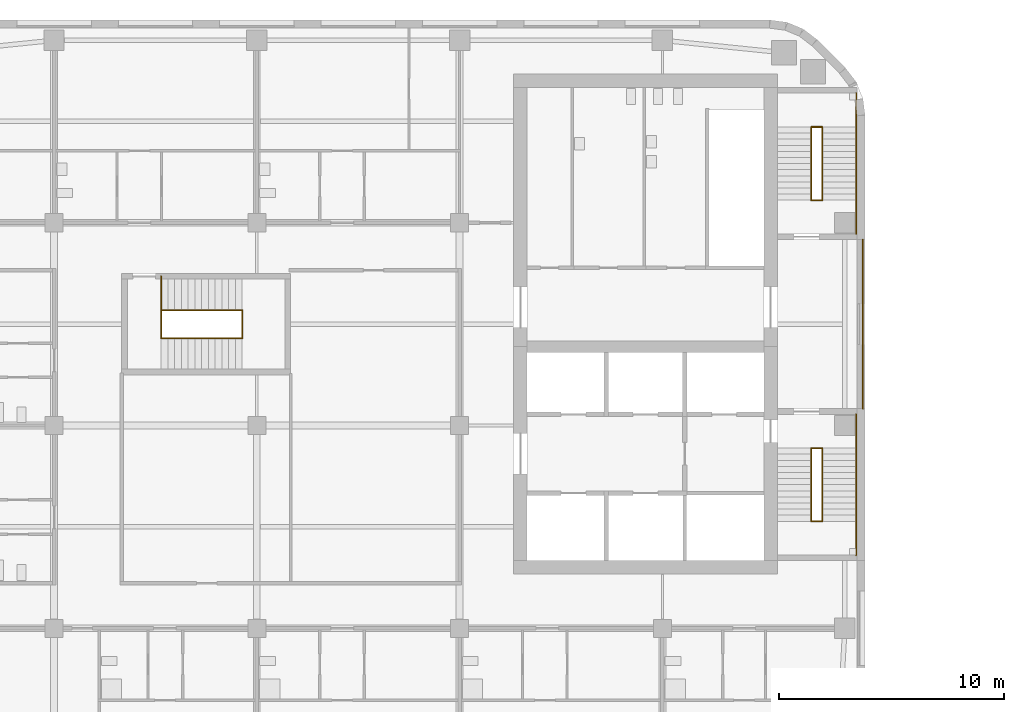
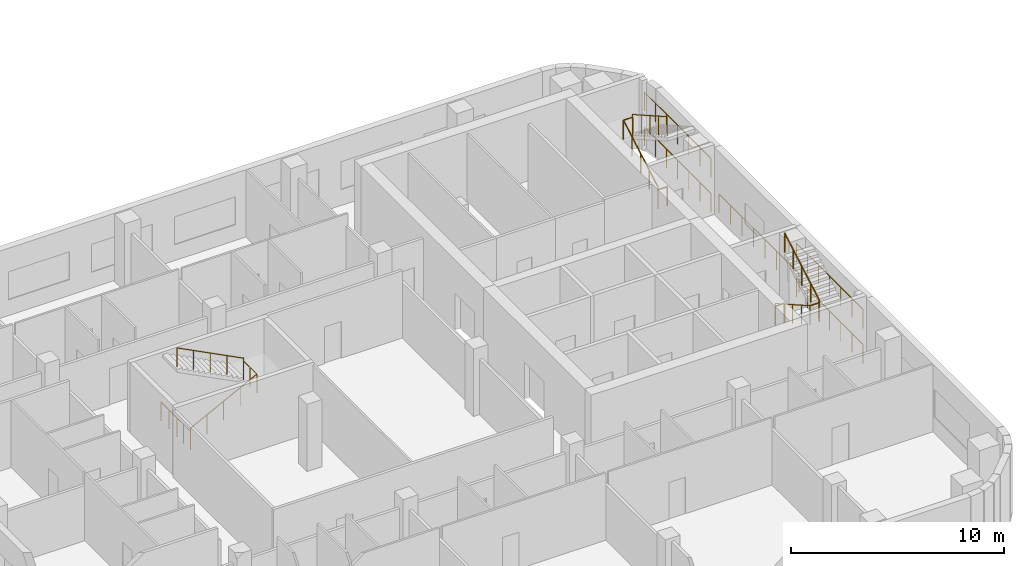
# One storey, part 14 of 16: 18 railings.
"""IFC4 building model written with IfcOpenShell, lengths in metres."""

from ifc_helpers import new_model, si_unit, direction, frame, origin, origin_2d, place, context, subcontext, project, spatial, circle, extrude, material, type_object, element, save


model = new_model("IFC4")

# Units and contexts
model_context = context("Model", 3, precision=1e-05, world=origin(), true_north=direction((0.0, 1.0)))
body_context = subcontext(model_context, "Body", "Model", "MODEL_VIEW")
ifc_project = project(units=[si_unit("LENGTHUNIT", "METRE"), si_unit("AREAUNIT", "SQUARE_METRE"), si_unit("VOLUMEUNIT", "CUBIC_METRE"), si_unit("PLANEANGLEUNIT", "RADIAN"), si_unit("MASSUNIT", "GRAM", prefix="KILO")], contexts=[model_context])

# Site, building, storey
site_placement = place(None, origin())
site = spatial("IfcSite", under=ifc_project, at=site_placement, CompositionType="ELEMENT")
building_placement = place(site_placement, origin())
building = spatial("IfcBuilding", under=site, at=building_placement, Name="Cinnabar Reach Civic Tower", CompositionType="ELEMENT")
storey_placement = place(building_placement, frame((0.0, 0.0, 30.0)))
storey = spatial("IfcBuildingStorey", under=building, at=storey_placement, Name="L06", CompositionType="ELEMENT", Elevation=30.0)

# Railings
ifc_material = material(Name="Stainless steel", Category="steel")
railing_type = type_object("IfcRailingType", Name="T2 Stair guard 1100", PredefinedType="GUARDRAIL", material=ifc_material)
railing_1_placement = place(storey_placement, frame((-27.1, 27.75, 0.0)))
element("IfcRailing", 1, at=railing_1_placement, inside=storey, type_object=railing_type, Name="Corridor end guard", PredefinedType="GUARDRAIL", context=body_context, shape_type="SweptSolid", body=[
    extrude(circle(Radius=0.024, at=origin_2d()), frame((0.0, 0.0, 1.076), z_axis=(0.0, 1.0, 0.0), x_axis=(-1.0, 0.0, 0.0)), (0.0, 0.0, 1.0), 7.5),
    extrude(circle(Radius=0.021, at=origin_2d()), origin(), (0.0, 0.0, 1.0), 1.052),
    extrude(circle(Radius=0.021, at=origin_2d()), frame((0.0, 1.0714, 0.0)), (0.0, 0.0, 1.0), 1.052),
    extrude(circle(Radius=0.021, at=origin_2d()), frame((0.0, 2.1429, 0.0)), (0.0, 0.0, 1.0), 1.052),
    extrude(circle(Radius=0.021, at=origin_2d()), frame((0.0, 3.2143, 0.0)), (0.0, 0.0, 1.0), 1.052),
    extrude(circle(Radius=0.021, at=origin_2d()), frame((0.0, 4.2857, 0.0)), (0.0, 0.0, 1.0), 1.052),
    extrude(circle(Radius=0.021, at=origin_2d()), frame((0.0, 5.3571, 0.0)), (0.0, 0.0, 1.0), 1.052),
    extrude(circle(Radius=0.021, at=origin_2d()), frame((0.0, 6.4286, 0.0)), (0.0, 0.0, 1.0), 1.052),
    extrude(circle(Radius=0.021, at=origin_2d()), frame((0.0, 7.5, 0.0)), (0.0, 0.0, 1.0), 1.052),
])
for number, where, name in (
    (2, (-27.4, 21.25, 0.0), "Stair guard 1"),
    (3, (-27.4, 21.25, 2.0), "Stair guard 1"),
):
    element("IfcRailing", number, at=place(storey_placement, frame(where)), inside=storey, type_object=railing_type, Name=name, PredefinedType="GUARDRAIL", context=body_context, shape_type="SweptSolid", body=[
        extrude(circle(Radius=0.024, at=origin_2d()), frame((0.0, 0.0, 1.076), z_axis=(0.0, 1.0, 0.0), x_axis=(-1.0, 0.0, 0.0)), (0.0, 0.0, 1.0), 6.25),
        extrude(circle(Radius=0.021, at=origin_2d()), origin(), (0.0, 0.0, 1.0), 1.052),
        extrude(circle(Radius=0.021, at=origin_2d()), frame((0.0, 1.0417, 0.0)), (0.0, 0.0, 1.0), 1.052),
        extrude(circle(Radius=0.021, at=origin_2d()), frame((0.0, 2.0833, 0.0)), (0.0, 0.0, 1.0), 1.052),
        extrude(circle(Radius=0.021, at=origin_2d()), frame((0.0, 3.125, 0.0)), (0.0, 0.0, 1.0), 1.052),
        extrude(circle(Radius=0.021, at=origin_2d()), frame((0.0, 4.1667, 0.0)), (0.0, 0.0, 1.0), 1.052),
        extrude(circle(Radius=0.021, at=origin_2d()), frame((0.0, 5.2083, 0.0)), (0.0, 0.0, 1.0), 1.052),
        extrude(circle(Radius=0.021, at=origin_2d()), frame((0.0, 6.25, 0.0)), (0.0, 0.0, 1.0), 1.052),
    ])
for number, where, name in (
    (4, (-29.4, 26.0, 0.0), "Stair guard 1"),
    (5, (-29.4, 22.75, 2.0), "Stair guard 1"),
):
    element("IfcRailing", number, at=place(storey_placement, frame(where)), inside=storey, type_object=railing_type, Name=name, PredefinedType="GUARDRAIL", context=body_context, shape_type="SweptSolid", body=[
        extrude(circle(Radius=0.024, at=origin_2d()), frame((0.0, 0.0, 1.076), z_axis=(1.0, 0.0, 0.0), x_axis=(0.0, 1.0, 0.0)), (0.0, 0.0, 1.0), 0.5),
        extrude(circle(Radius=0.021, at=origin_2d()), origin(), (0.0, 0.0, 1.0), 1.052),
        extrude(circle(Radius=0.021, at=origin_2d()), frame((0.5, 0.0, 0.0)), (0.0, 0.0, 1.0), 1.052),
    ])
railing_2_placement = place(storey_placement, frame((-29.4, 26.0, 0.1538)))
element("IfcRailing", 6, at=railing_2_placement, inside=storey, type_object=railing_type, Name="Stair guard 1", PredefinedType="GUARDRAIL", context=body_context, shape_type="SweptSolid", body=[
    extrude(circle(Radius=0.024, at=origin_2d()), frame((0.0, 0.0, 1.076), z_axis=(0.0, -0.869501474428, 0.493930345258), x_axis=(1.0, 0.0, 0.0)), (0.0, 0.0, 1.0), 3.7378),
    extrude(circle(Radius=0.021, at=origin_2d()), origin(), (0.0, 0.0, 1.0), 1.052),
    extrude(circle(Radius=0.021, at=origin_2d()), frame((0.0, -0.8125, 0.4615)), (0.0, 0.0, 1.0), 1.052),
    extrude(circle(Radius=0.021, at=origin_2d()), frame((0.0, -1.625, 0.9231)), (0.0, 0.0, 1.0), 1.052),
    extrude(circle(Radius=0.021, at=origin_2d()), frame((0.0, -2.4375, 1.3846)), (0.0, 0.0, 1.0), 1.052),
    extrude(circle(Radius=0.021, at=origin_2d()), frame((0.0, -3.25, 1.8462)), (0.0, 0.0, 1.0), 1.052),
])
railing_3_placement = place(storey_placement, frame((-28.9, 22.75, 2.1538)))
element("IfcRailing", 7, at=railing_3_placement, inside=storey, type_object=railing_type, Name="Stair guard 1", PredefinedType="GUARDRAIL", context=body_context, shape_type="SweptSolid", body=[
    extrude(circle(Radius=0.024, at=origin_2d()), frame((0.0, 0.0, 1.076), z_axis=(0.0, 0.869501474428, 0.493930345258), x_axis=(-1.0, 0.0, 0.0)), (0.0, 0.0, 1.0), 3.7378),
    extrude(circle(Radius=0.021, at=origin_2d()), origin(), (0.0, 0.0, 1.0), 1.052),
    extrude(circle(Radius=0.021, at=origin_2d()), frame((0.0, 0.8125, 0.4616)), (0.0, 0.0, 1.0), 1.052),
    extrude(circle(Radius=0.021, at=origin_2d()), frame((0.0, 1.625, 0.9231)), (0.0, 0.0, 1.0), 1.052),
    extrude(circle(Radius=0.021, at=origin_2d()), frame((0.0, 2.4375, 1.3847)), (0.0, 0.0, 1.0), 1.052),
    extrude(circle(Radius=0.021, at=origin_2d()), frame((0.0, 3.25, 1.8462)), (0.0, 0.0, 1.0), 1.052),
])
for number, where, name in (
    (8, (-27.4, 35.5, 0.0), "Stair guard 2"),
    (9, (-27.4, 35.5, 2.0), "Stair guard 2"),
):
    element("IfcRailing", number, at=place(storey_placement, frame(where)), inside=storey, type_object=railing_type, Name=name, PredefinedType="GUARDRAIL", context=body_context, shape_type="SweptSolid", body=[
        extrude(circle(Radius=0.024, at=origin_2d()), frame((0.0, 0.0, 1.076), z_axis=(0.0, 1.0, 0.0), x_axis=(-1.0, 0.0, 0.0)), (0.0, 0.0, 1.0), 6.25),
        extrude(circle(Radius=0.021, at=origin_2d()), origin(), (0.0, 0.0, 1.0), 1.052),
        extrude(circle(Radius=0.021, at=origin_2d()), frame((0.0, 1.0417, 0.0)), (0.0, 0.0, 1.0), 1.052),
        extrude(circle(Radius=0.021, at=origin_2d()), frame((0.0, 2.0833, 0.0)), (0.0, 0.0, 1.0), 1.052),
        extrude(circle(Radius=0.021, at=origin_2d()), frame((0.0, 3.125, 0.0)), (0.0, 0.0, 1.0), 1.052),
        extrude(circle(Radius=0.021, at=origin_2d()), frame((0.0, 4.1667, 0.0)), (0.0, 0.0, 1.0), 1.052),
        extrude(circle(Radius=0.021, at=origin_2d()), frame((0.0, 5.2083, 0.0)), (0.0, 0.0, 1.0), 1.052),
        extrude(circle(Radius=0.021, at=origin_2d()), frame((0.0, 6.25, 0.0)), (0.0, 0.0, 1.0), 1.052),
    ])
for number, where, name in (
    (10, (-29.4, 37.0, 0.0), "Stair guard 2"),
    (11, (-29.4, 40.25, 2.0), "Stair guard 2"),
):
    element("IfcRailing", number, at=place(storey_placement, frame(where)), inside=storey, type_object=railing_type, Name=name, PredefinedType="GUARDRAIL", context=body_context, shape_type="SweptSolid", body=[
        extrude(circle(Radius=0.024, at=origin_2d()), frame((0.0, 0.0, 1.076), z_axis=(1.0, 0.0, 0.0), x_axis=(0.0, 1.0, 0.0)), (0.0, 0.0, 1.0), 0.5),
        extrude(circle(Radius=0.021, at=origin_2d()), origin(), (0.0, 0.0, 1.0), 1.052),
        extrude(circle(Radius=0.021, at=origin_2d()), frame((0.5, 0.0, 0.0)), (0.0, 0.0, 1.0), 1.052),
    ])
railing_4_placement = place(storey_placement, frame((-29.4, 37.0, 0.1538)))
element("IfcRailing", 12, at=railing_4_placement, inside=storey, type_object=railing_type, Name="Stair guard 2", PredefinedType="GUARDRAIL", context=body_context, shape_type="SweptSolid", body=[
    extrude(circle(Radius=0.024, at=origin_2d()), frame((0.0, 0.0, 1.076), z_axis=(0.0, 0.869501474428, 0.493930345258), x_axis=(-1.0, 0.0, 0.0)), (0.0, 0.0, 1.0), 3.7378),
    extrude(circle(Radius=0.021, at=origin_2d()), origin(), (0.0, 0.0, 1.0), 1.052),
    extrude(circle(Radius=0.021, at=origin_2d()), frame((0.0, 0.8125, 0.4615)), (0.0, 0.0, 1.0), 1.052),
    extrude(circle(Radius=0.021, at=origin_2d()), frame((0.0, 1.625, 0.9231)), (0.0, 0.0, 1.0), 1.052),
    extrude(circle(Radius=0.021, at=origin_2d()), frame((0.0, 2.4375, 1.3846)), (0.0, 0.0, 1.0), 1.052),
    extrude(circle(Radius=0.021, at=origin_2d()), frame((0.0, 3.25, 1.8462)), (0.0, 0.0, 1.0), 1.052),
])
railing_5_placement = place(storey_placement, frame((-28.9, 40.25, 2.1538)))
element("IfcRailing", 13, at=railing_5_placement, inside=storey, type_object=railing_type, Name="Stair guard 2", PredefinedType="GUARDRAIL", context=body_context, shape_type="SweptSolid", body=[
    extrude(circle(Radius=0.024, at=origin_2d()), frame((0.0, 0.0, 1.076), z_axis=(0.0, -0.869501474428, 0.493930345258), x_axis=(1.0, 0.0, 0.0)), (0.0, 0.0, 1.0), 3.7378),
    extrude(circle(Radius=0.021, at=origin_2d()), origin(), (0.0, 0.0, 1.0), 1.052),
    extrude(circle(Radius=0.021, at=origin_2d()), frame((0.0, -0.8125, 0.4616)), (0.0, 0.0, 1.0), 1.052),
    extrude(circle(Radius=0.021, at=origin_2d()), frame((0.0, -1.625, 0.9231)), (0.0, 0.0, 1.0), 1.052),
    extrude(circle(Radius=0.021, at=origin_2d()), frame((0.0, -2.4375, 1.3847)), (0.0, 0.0, 1.0), 1.052),
    extrude(circle(Radius=0.021, at=origin_2d()), frame((0.0, -3.25, 1.8462)), (0.0, 0.0, 1.0), 1.052),
])
railing_6_placement = place(storey_placement, frame((-58.25, 30.875, 0.0)))
element("IfcRailing", 14, at=railing_6_placement, inside=storey, type_object=railing_type, Name="Stair guard 3", PredefinedType="GUARDRAIL", context=body_context, shape_type="SweptSolid", body=[
    extrude(circle(Radius=0.024, at=origin_2d()), frame((0.0, 0.0, 1.076), z_axis=(0.0, 1.0, 0.0), x_axis=(-1.0, 0.0, 0.0)), (0.0, 0.0, 1.0), 1.25),
    extrude(circle(Radius=0.021, at=origin_2d()), origin(), (0.0, 0.0, 1.0), 1.052),
    extrude(circle(Radius=0.021, at=origin_2d()), frame((0.0, 0.625, 0.0)), (0.0, 0.0, 1.0), 1.052),
    extrude(circle(Radius=0.021, at=origin_2d()), frame((0.0, 1.25, 0.0)), (0.0, 0.0, 1.0), 1.052),
])
railing_7_placement = place(storey_placement, frame((-58.25, 32.125, 0.0)))
element("IfcRailing", 15, at=railing_7_placement, inside=storey, type_object=railing_type, Name="Stair guard 3", PredefinedType="GUARDRAIL", context=body_context, shape_type="SweptSolid", body=[
    extrude(circle(Radius=0.024, at=origin_2d()), frame((0.0, 0.0, 1.076), z_axis=(0.0, 1.0, 0.0), x_axis=(-1.0, 0.0, 0.0)), (0.0, 0.0, 1.0), 1.5),
    extrude(circle(Radius=0.021, at=origin_2d()), origin(), (0.0, 0.0, 1.0), 1.052),
    extrude(circle(Radius=0.021, at=origin_2d()), frame((0.0, 0.75, 0.0)), (0.0, 0.0, 1.0), 1.052),
    extrude(circle(Radius=0.021, at=origin_2d()), frame((0.0, 1.5, 0.0)), (0.0, 0.0, 1.0), 1.052),
])
railing_8_placement = place(storey_placement, frame((-54.65, 30.875, 2.0)))
element("IfcRailing", 16, at=railing_8_placement, inside=storey, type_object=railing_type, Name="Stair guard 3", PredefinedType="GUARDRAIL", context=body_context, shape_type="SweptSolid", body=[
    extrude(circle(Radius=0.024, at=origin_2d()), frame((0.0, 0.0, 1.076), z_axis=(0.0, 1.0, 0.0), x_axis=(-1.0, 0.0, 0.0)), (0.0, 0.0, 1.0), 1.25),
    extrude(circle(Radius=0.021, at=origin_2d()), origin(), (0.0, 0.0, 1.0), 1.052),
    extrude(circle(Radius=0.021, at=origin_2d()), frame((0.0, 0.625, 0.0)), (0.0, 0.0, 1.0), 1.052),
    extrude(circle(Radius=0.021, at=origin_2d()), frame((0.0, 1.25, 0.0)), (0.0, 0.0, 1.0), 1.052),
])
railing_9_placement = place(storey_placement, frame((-58.25, 30.875, 0.1538)))
element("IfcRailing", 17, at=railing_9_placement, inside=storey, type_object=railing_type, Name="Stair guard 3", PredefinedType="GUARDRAIL", context=body_context, shape_type="SweptSolid", body=[
    extrude(circle(Radius=0.024, at=origin_2d()), frame((0.0, 0.0, 1.076), z_axis=(0.889812830738, 0.0, 0.45632568003), x_axis=(0.0, 1.0, 0.0)), (0.0, 0.0, 1.0), 4.0458),
    extrude(circle(Radius=0.021, at=origin_2d()), origin(), (0.0, 0.0, 1.0), 1.052),
    extrude(circle(Radius=0.021, at=origin_2d()), frame((0.9, 0.0, 0.4615)), (0.0, 0.0, 1.0), 1.052),
    extrude(circle(Radius=0.021, at=origin_2d()), frame((1.8, 0.0, 0.9231)), (0.0, 0.0, 1.0), 1.052),
    extrude(circle(Radius=0.021, at=origin_2d()), frame((2.7, 0.0, 1.3846)), (0.0, 0.0, 1.0), 1.052),
    extrude(circle(Radius=0.021, at=origin_2d()), frame((3.6, 0.0, 1.8462)), (0.0, 0.0, 1.0), 1.052),
])
railing_10_placement = place(storey_placement, frame((-54.65, 32.125, 2.1538)))
element("IfcRailing", 18, at=railing_10_placement, inside=storey, type_object=railing_type, Name="Stair guard 3", PredefinedType="GUARDRAIL", context=body_context, shape_type="SweptSolid", body=[
    extrude(circle(Radius=0.024, at=origin_2d()), frame((0.0, 0.0, 1.076), z_axis=(-0.889812830738, 0.0, 0.45632568003), x_axis=(0.0, -1.0, 0.0)), (0.0, 0.0, 1.0), 4.0458),
    extrude(circle(Radius=0.021, at=origin_2d()), origin(), (0.0, 0.0, 1.0), 1.052),
    extrude(circle(Radius=0.021, at=origin_2d()), frame((-0.9, 0.0, 0.4616)), (0.0, 0.0, 1.0), 1.052),
    extrude(circle(Radius=0.021, at=origin_2d()), frame((-1.8, 0.0, 0.9231)), (0.0, 0.0, 1.0), 1.052),
    extrude(circle(Radius=0.021, at=origin_2d()), frame((-2.7, 0.0, 1.3847)), (0.0, 0.0, 1.0), 1.052),
    extrude(circle(Radius=0.021, at=origin_2d()), frame((-3.6, 0.0, 1.8462)), (0.0, 0.0, 1.0), 1.052),
])

save(model, "model.ifc")
